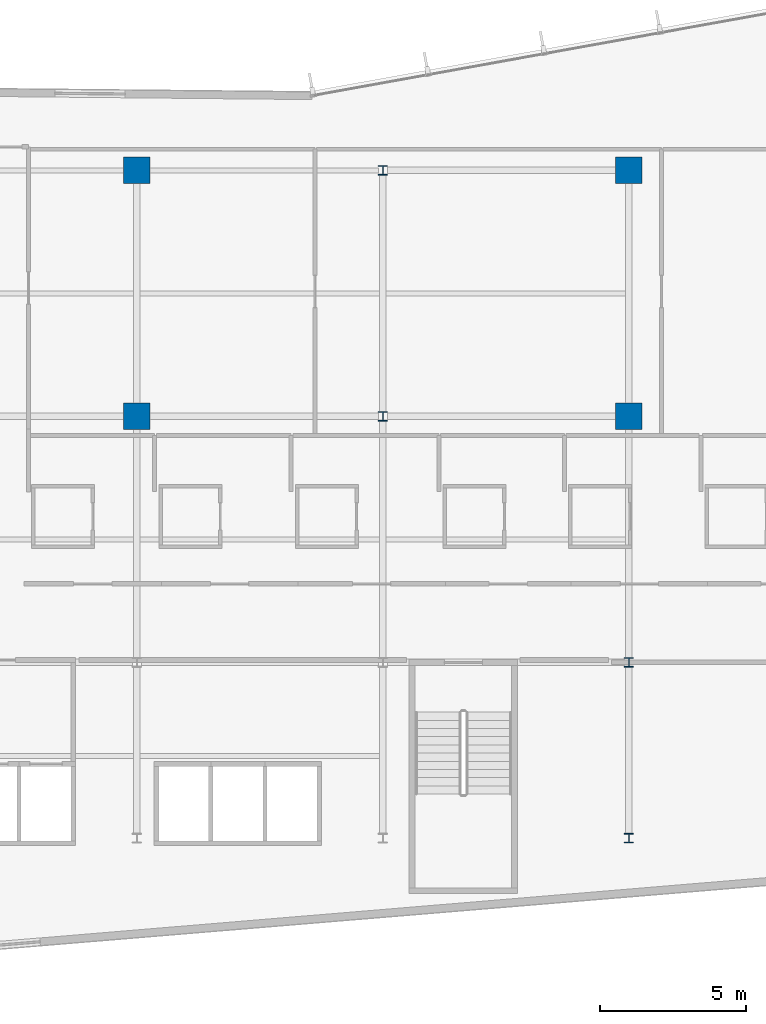
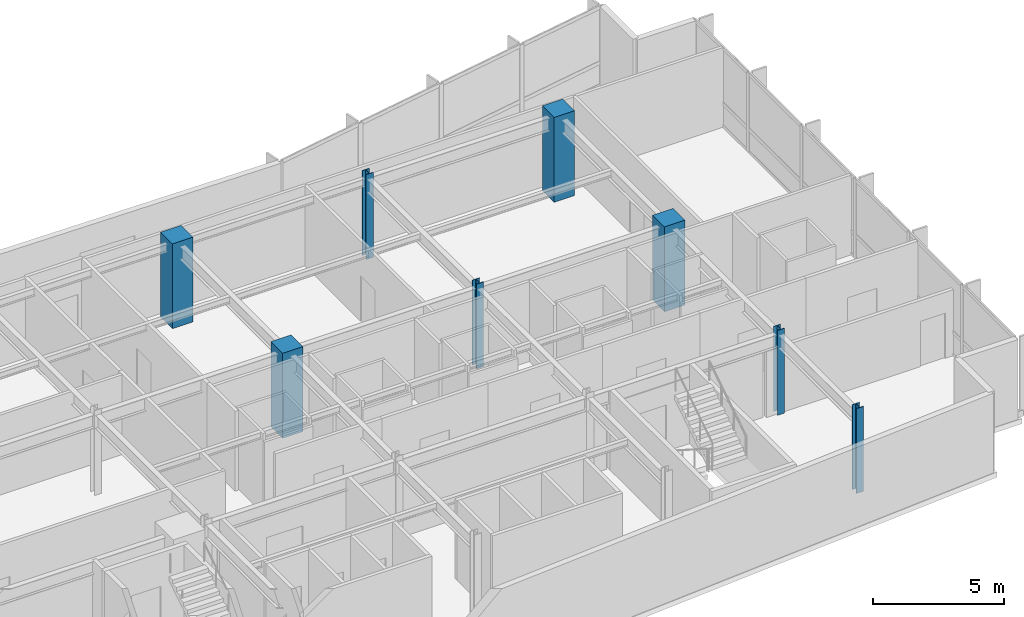
# One storey, part 2 of 19: 8 columns.
"""IFC4 building model written with IfcOpenShell, lengths in metres."""

from ifc_helpers import new_model, si_unit, direction, frame, origin, origin_2d, place, context, subcontext, project, spatial, rectangle, i_section, extrude, material, material_profile, profile_set, type_object, element, save


model = new_model("IFC4")

# Units and contexts
model_context = context("Model", 3, precision=1e-05, world=origin(), true_north=direction((0.0, 1.0)))
body_context = subcontext(model_context, "Body", "Model", "MODEL_VIEW")
ifc_project = project(units=[si_unit("LENGTHUNIT", "METRE"), si_unit("AREAUNIT", "SQUARE_METRE"), si_unit("VOLUMEUNIT", "CUBIC_METRE"), si_unit("PLANEANGLEUNIT", "RADIAN"), si_unit("MASSUNIT", "GRAM", prefix="KILO")], contexts=[model_context])

# Site, building, storey
site_placement = place(None, origin())
site = spatial("IfcSite", under=ifc_project, at=site_placement, CompositionType="ELEMENT")
building_placement = place(site_placement, origin())
building = spatial("IfcBuilding", under=site, at=building_placement, Name="Varnakote Quay Hospital", CompositionType="ELEMENT")
storey_placement = place(building_placement, frame((0.0, 0.0, 85.699951171875)))
storey = spatial("IfcBuildingStorey", under=building, at=storey_placement, Name="L21", CompositionType="ELEMENT", Elevation=85.699951171875)

# Columns
ifc_material_1 = material(Name="Concrete N50 (f'c 50 MPa)", Category="concrete")
ifc_material_profile_1 = material_profile(ifc_material_1, rectangle(XDim=0.89990234375, YDim=0.89990234375, at=origin_2d()), Name="RC-COL-900x900")
ifc_profile_set_1 = profile_set([ifc_material_profile_1], Name="Concrete N50 (f'c 50 MPa)")
column_type_1 = type_object("IfcColumnType", Name="COL-RC-900", PredefinedType="COLUMN", material=ifc_profile_set_1)
for number, where, z_axis, x_axis, name in (
    (1, (33.60009765625, 20.39990234375, 0.0), (0.0, 0.0, 1.0), (1.0, 0.0, 0.0), "L21 Structural Column C-34-20"),
    (2, (50.39990234375, 20.39990234375, 0.0), (0.0, 0.0, 1.0), (1.0, 0.0, 0.0), "L21 Structural Column C-50-20"),
    (3, (33.60009765625, 28.800048828125, 0.0), (0.0, 0.0, 1.0), (1.0, 0.0, 0.0), "L21 Structural Column C-34-29"),
    (4, (50.39990234375, 28.800048828125, 0.0), (0.0, 0.0, 1.0), (1.0, 0.0, 0.0), "L21 Structural Column C-50-29"),
):
    element("IfcColumn", number, at=place(storey_placement, frame(where, z_axis=z_axis, x_axis=x_axis)), inside=storey, type_object=column_type_1, Name=name, PredefinedType="COLUMN", context=body_context, shape_type="SweptSolid", body=[
        extrude(rectangle(XDim=0.89990234375, YDim=0.89990234375, at=origin_2d()), origin(), (0.0, 0.0, 1.0), 3.949951171875),
    ])
ifc_material_2 = material(Name="Structural steel AS/NZS 3679.1 Grade 350 L0 (fy 340 MPa)", Category="steel")
ifc_material_profile_2 = material_profile(ifc_material_2, i_section(OverallWidth=0.31103515625, OverallDepth=0.326904296875, WebThickness=0.015625, FlangeThickness=0.02490234375, FilletRadius=0.0166015625, at=origin_2d()), Name="310UC158")
ifc_profile_set_2 = profile_set([ifc_material_profile_2], Name="Structural steel AS/NZS 3679.1 Grade 350 L0 (fy 340 MPa)")
column_type_2 = type_object("IfcColumnType", Name="COL-STL-310UC158", PredefinedType="COLUMN", material=ifc_profile_set_2)
for number, where, z_axis, x_axis, name in (
    (5, (50.39990234375, 6.0, 0.0), (0.0, 0.0, 1.0), (1.0, 0.0, 0.0), "L21 Structural Column C-50-6"),
    (6, (50.39990234375, 12.0, 0.0), (0.0, 0.0, 1.0), (1.0, 0.0, 0.0), "L21 Structural Column C-50-12"),
    (7, (42.0, 20.39990234375, 0.0), (0.0, 0.0, 1.0), (1.0, 0.0, 0.0), "L21 Structural Column C-42-20"),
    (8, (42.0, 28.800048828125, 0.0), (0.0, 0.0, 1.0), (1.0, 0.0, 0.0), "L21 Structural Column C-42-29"),
):
    element("IfcColumn", number, at=place(storey_placement, frame(where, z_axis=z_axis, x_axis=x_axis)), inside=storey, type_object=column_type_2, Name=name, PredefinedType="COLUMN", context=body_context, shape_type="SweptSolid", body=[
        extrude(i_section(OverallWidth=0.31103515625, OverallDepth=0.326904296875, WebThickness=0.015625, FlangeThickness=0.02490234375, FilletRadius=0.0166015625, at=origin_2d()), origin(), (0.0, 0.0, 1.0), 3.949951171875),
    ])

save(model, "model.ifc")
